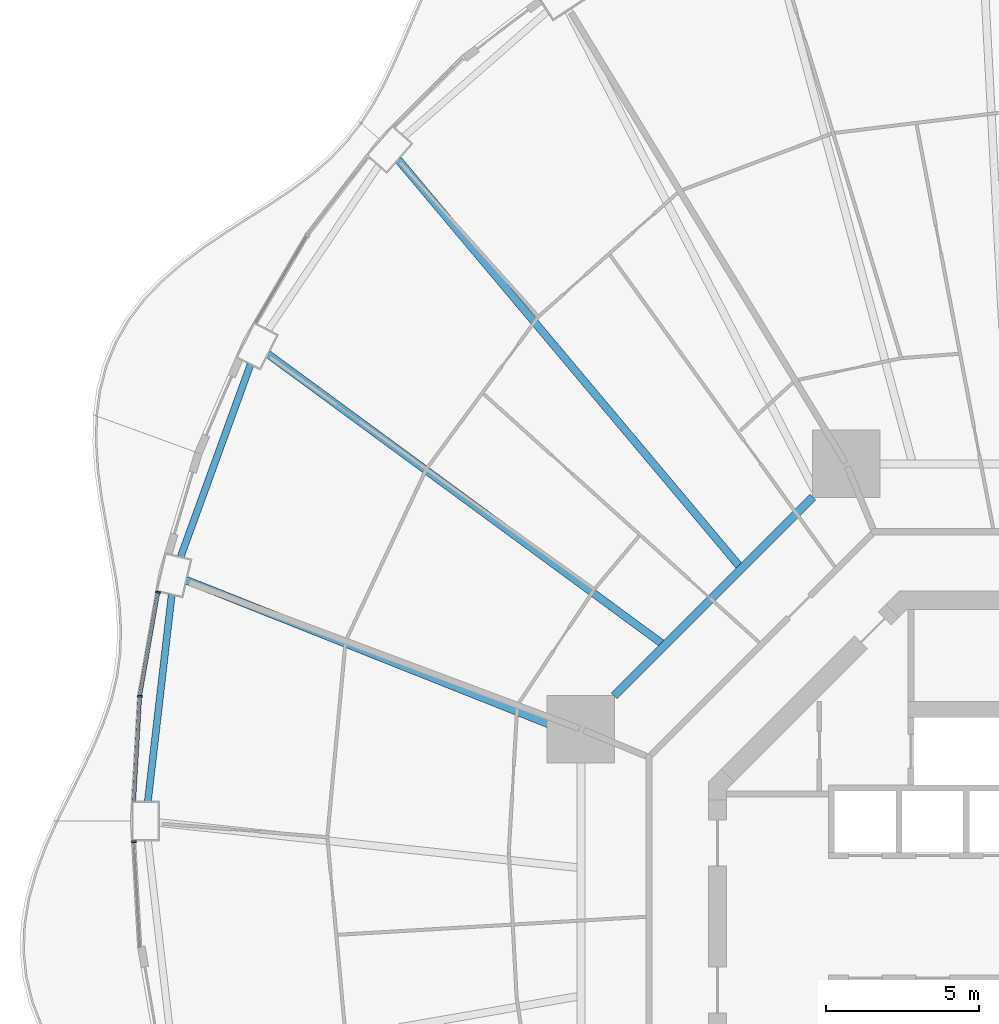
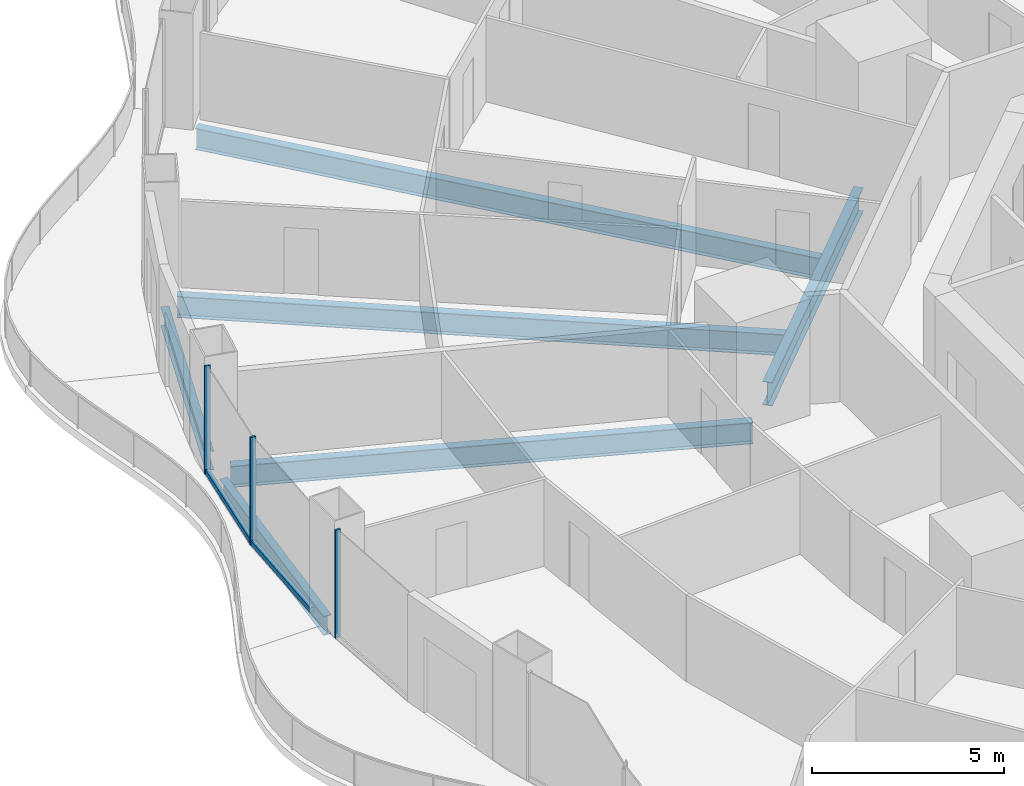
# One storey, part 7 of 22: 6 beams, 5 members, 3 elements without a shape of their own.
"""IFC4 building model written with IfcOpenShell, lengths in metres."""

from ifc_helpers import new_model, si_unit, direction, frame, origin, origin_2d, place, context, subcontext, project, spatial, rectangle, i_section, extrude, material, layer, layer_set, material_profile, profile_set, type_object, element, aggregate, save


model = new_model("IFC4")

# Units and contexts
model_context = context("Model", 3, precision=1e-05, world=origin(), true_north=direction((0.0, 1.0)))
body_context = subcontext(model_context, "Body", "Model", "MODEL_VIEW")
ifc_project = project(units=[si_unit("LENGTHUNIT", "METRE"), si_unit("AREAUNIT", "SQUARE_METRE"), si_unit("VOLUMEUNIT", "CUBIC_METRE"), si_unit("PLANEANGLEUNIT", "RADIAN"), si_unit("MASSUNIT", "GRAM", prefix="KILO")], contexts=[model_context])

# Site, building, storey
site_placement = place(None, origin())
site = spatial("IfcSite", under=ifc_project, at=site_placement, CompositionType="ELEMENT")
building_placement = place(site_placement, origin())
building = spatial("IfcBuilding", under=site, at=building_placement, Name="Nagisa Residences", CompositionType="ELEMENT")
storey_placement = place(building_placement, frame((0.0, 0.0, 95.5)))
storey = spatial("IfcBuildingStorey", under=building, at=storey_placement, Name="L23", CompositionType="ELEMENT", Elevation=95.5)

# Curtain wall, member
ifc_material_1 = material(Name="Concrete-coloured aluminium curtain wall system", Category="concrete")
ifc_layer = layer(ifc_material_1, 0.159912109375)
ifc_layer_set = layer_set([ifc_layer], Name="CW1 CURTAIN WALL")
curtain_wall_type = type_object("IfcCurtainWallType", Name="CW1 CURTAIN WALL", PredefinedType="NOTDEFINED", material=ifc_layer_set)
curtain_wall_1_placement = place(storey_placement, origin())
curtain_wall_1 = element("IfcCurtainWall", 1, at=curtain_wall_1_placement, inside=storey, type_object=curtain_wall_type, Name="cw:CW1:L23:22", PredefinedType="NOTDEFINED")
ifc_material_2 = material(Name="Concrete-coloured aluminium", Category="concrete")
ifc_material_profile_1 = material_profile(ifc_material_2, rectangle(XDim=0.159912109375, YDim=0.06005859375, at=origin_2d()), Name="CW1 MULLION 160x60")
ifc_profile_set_1 = profile_set([ifc_material_profile_1], Name="Concrete-coloured aluminium")
member_type_1 = type_object("IfcMemberType", Name="CW1 MULLION 160x60", PredefinedType="MULLION", material=ifc_profile_set_1)
member_1_placement = place(storey_placement, frame((-28.589599609375, 10.5908203125, 0.0), z_axis=(0.0, 0.0, 1.0), x_axis=(0.985063604377, -0.172190868898, 0.0)))
member_1 = element("IfcMember", 2, at=member_1_placement, type_object=member_type_1, Name="CW1 mullion", PredefinedType="MULLION", context=body_context, shape_type="SweptSolid", body=[
    extrude(rectangle(XDim=0.159912109375, YDim=0.06005859375, at=origin_2d()), origin(), (0.0, 0.0, 1.0), 3.43994140625),
])

curtain_wall_2_placement = place(storey_placement, origin())
curtain_wall_2 = element("IfcCurtainWall", 3, at=curtain_wall_2_placement, inside=storey, type_object=curtain_wall_type, Name="cw:CW1:L23:23", PredefinedType="NOTDEFINED")
member_2_placement = place(storey_placement, frame((-29.179931640625, 7.19677734375, 0.0), z_axis=(0.0, 0.0, 1.0), x_axis=(0.998345305184, -0.057503492216, 0.0)))
member_2 = element("IfcMember", 4, at=member_2_placement, type_object=member_type_1, Name="CW1 mullion", PredefinedType="MULLION", context=body_context, shape_type="SweptSolid", body=[
    extrude(rectangle(XDim=0.159912109375, YDim=0.06005859375, at=origin_2d()), origin(), (0.0, 0.0, 1.0), 3.43994140625),
])

curtain_wall_3_placement = place(storey_placement, origin())
curtain_wall_3 = element("IfcCurtainWall", 5, at=curtain_wall_3_placement, inside=storey, type_object=curtain_wall_type, Name="cw:CW1:L23:24", PredefinedType="NOTDEFINED")
member_3_placement = place(storey_placement, frame((-29.3759765625, 2.443359375, 0.0), z_axis=(0.0, 0.0, 1.0), x_axis=(0.998345305184, 0.057503492216, 0.0)))
member_3 = element("IfcMember", 6, at=member_3_placement, type_object=member_type_1, Name="CW1 mullion", PredefinedType="MULLION", context=body_context, shape_type="SweptSolid", body=[
    extrude(rectangle(XDim=0.159912109375, YDim=0.06005859375, at=origin_2d()), origin(), (0.0, 0.0, 1.0), 3.43994140625),
])
aggregate(curtain_wall_3, [member_3])

# Member
ifc_material_3 = material(Name="Concrete-coloured aluminium", Category="concrete")
ifc_material_profile_2 = material_profile(ifc_material_3, rectangle(XDim=0.1201171875, YDim=0.14990234375, at=origin_2d()), Name="CW1 TRANSOM 120x150")
ifc_profile_set_2 = profile_set([ifc_material_profile_2], Name="Concrete-coloured aluminium")
member_type_2 = type_object("IfcMemberType", Name="CW1 TRANSOM 120x150", PredefinedType="USERDEFINED", material=ifc_profile_set_2)
member_4_placement = place(storey_placement, frame((-28.58447265625, 10.620361328125, 0.074951171875), z_axis=(-0.172164316671, -0.985068245385, 0.0), x_axis=(0.985068245385, -0.172164316671, 0.0)))
member_4 = element("IfcMember", 7, at=member_4_placement, type_object=member_type_2, Name="CW1 transom", ObjectType="TRANSOM", PredefinedType="USERDEFINED", context=body_context, shape_type="SweptSolid", body=[
    extrude(rectangle(XDim=0.1201171875, YDim=0.14990234375, at=origin_2d()), origin(), (0.0, 0.0, 1.0), 3.454345703125),
])

aggregate(curtain_wall_1, [member_1, member_4])

member_5_placement = place(storey_placement, frame((-29.17822265625, 7.2265625, 0.074951171875), z_axis=(-0.057476526179, -0.99834685803, 0.0), x_axis=(0.99834685803, -0.057476526179, 0.0)))
member_5 = element("IfcMember", 8, at=member_5_placement, type_object=member_type_2, Name="CW1 transom", ObjectType="TRANSOM", PredefinedType="USERDEFINED", context=body_context, shape_type="SweptSolid", body=[
    extrude(rectangle(XDim=0.1201171875, YDim=0.14990234375, at=origin_2d()), origin(), (0.0, 0.0, 1.0), 3.47021484375),
])

aggregate(curtain_wall_2, [member_2, member_5])

# Beams
ifc_material_4 = material(Name="Steel ASTM A572 Gr 50", Category="steel")
ifc_material_profile_3 = material_profile(ifc_material_4, i_section(OverallWidth=0.264892578125, OverallDepth=0.7529296875, WebThickness=0.01318359375, FlangeThickness=0.01708984375, at=origin_2d()), Name="W760x147")
ifc_profile_set_3 = profile_set([ifc_material_profile_3], Name="Steel ASTM A572 Gr 50")
beam_type_1 = type_object("IfcBeamType", Name="Inner ring beam W760x147", PredefinedType="BEAM", material=ifc_profile_set_3)
beam_1_placement = place(storey_placement, frame((-7.208740234375, 13.6962890625, -0.636474609375), z_axis=(-0.707106781187, -0.707106781187, 0.0), x_axis=(0.707106781187, -0.707106781187, 0.0)))
element("IfcBeam", 9, at=beam_1_placement, inside=storey, type_object=beam_type_1, Name="beam:L23:ib3", PredefinedType="BEAM", context=body_context, shape_type="SweptSolid", body=[
    extrude(i_section(OverallWidth=0.264892578125, OverallDepth=0.7529296875, WebThickness=0.01318359375, FlangeThickness=0.01708984375, at=origin_2d()), origin(), (0.0, 0.0, 1.0), 9.1748046875),
])
ifc_material_5 = material(Name="Steel ASTM A572 Gr 50", Category="steel")
ifc_material_profile_4 = material_profile(ifc_material_5, i_section(OverallWidth=0.22802734375, OverallDepth=0.60302734375, WebThickness=0.010498046875, FlangeThickness=0.014892578125, at=origin_2d()), Name="W610x101")
ifc_profile_set_4 = profile_set([ifc_material_profile_4], Name="Steel ASTM A572 Gr 50")
beam_type_2 = type_object("IfcBeamType", Name="Perimeter ring beam W610x101", PredefinedType="BEAM", material=ifc_profile_set_4)
beam_2_placement = place(storey_placement, frame((-25.568359375, 18.028564453125, -0.5615234375), z_axis=(-0.341365002286, -0.939930814057, 0.0), x_axis=(0.939930814057, -0.341365002286, 0.0)))
element("IfcBeam", 10, at=beam_2_placement, inside=storey, type_object=beam_type_2, Name="beam:L23:pb11", PredefinedType="BEAM", context=body_context, shape_type="SweptSolid", body=[
    extrude(i_section(OverallWidth=0.22802734375, OverallDepth=0.60302734375, WebThickness=0.010498046875, FlangeThickness=0.014892578125, at=origin_2d()), origin(), (0.0, 0.0, 1.0), 6.689208984375),
])
beam_3_placement = place(storey_placement, frame((-28.14111328125, 10.5146484375, -0.5615234375), z_axis=(-0.114690766503, -0.993401242237, 0.0), x_axis=(0.993401242237, -0.114690766503, 0.0)))
element("IfcBeam", 11, at=beam_3_placement, inside=storey, type_object=beam_type_2, Name="beam:L23:pb12", PredefinedType="BEAM", context=body_context, shape_type="SweptSolid", body=[
    extrude(i_section(OverallWidth=0.22802734375, OverallDepth=0.60302734375, WebThickness=0.010498046875, FlangeThickness=0.014892578125, at=origin_2d()), origin(), (0.0, 0.0, 1.0), 6.811767578125),
])
ifc_material_6 = material(Name="Steel ASTM A572 Gr 50", Category="steel")
ifc_material_profile_5 = material_profile(ifc_material_6, i_section(OverallWidth=0.2529296875, OverallDepth=0.677978515625, WebThickness=0.01171875, FlangeThickness=0.016357421875, at=origin_2d()), Name="W690x125")
ifc_profile_set_5 = profile_set([ifc_material_profile_5], Name="Steel ASTM A572 Gr 50")
beam_type_3 = type_object("IfcBeamType", Name="Radial beam W690x125", PredefinedType="BEAM", material=ifc_profile_set_5)
beam_4_placement = place(storey_placement, frame((-20.75, 24.71533203125, -0.59912109375), z_axis=(0.642994706096, -0.765870620884, 0.0), x_axis=(0.765870620884, 0.642994706096, 0.0)))
element("IfcBeam", 12, at=beam_4_placement, inside=storey, type_object=beam_type_3, Name="beam:L23:rb10", PredefinedType="BEAM", context=body_context, shape_type="SweptSolid", body=[
    extrude(i_section(OverallWidth=0.2529296875, OverallDepth=0.677978515625, WebThickness=0.01171875, FlangeThickness=0.016357421875, at=origin_2d()), origin(), (0.0, 0.0, 1.0), 17.319580078125),
])
beam_5_placement = place(storey_placement, frame((-25.0, 18.366943359375, -0.59912109375), z_axis=(0.805892392895, -0.59206203313, 0.0), x_axis=(0.59206203313, 0.805892392895, 0.0)))
element("IfcBeam", 13, at=beam_5_placement, inside=storey, type_object=beam_type_3, Name="beam:L23:rb11", PredefinedType="BEAM", context=body_context, shape_type="SweptSolid", body=[
    extrude(i_section(OverallWidth=0.2529296875, OverallDepth=0.677978515625, WebThickness=0.01171875, FlangeThickness=0.016357421875, at=origin_2d()), origin(), (0.0, 0.0, 1.0), 15.95361328125),
])
beam_6_placement = place(storey_placement, frame((-27.6640625, 10.984375, -0.59912109375), z_axis=(0.929418643834, -0.369027078267, 0.0), x_axis=(0.369027078267, 0.929418643834, 0.0)))
element("IfcBeam", 14, at=beam_6_placement, inside=storey, type_object=beam_type_3, Name="beam:L23:rb12", PredefinedType="BEAM", context=body_context, shape_type="SweptSolid", body=[
    extrude(i_section(OverallWidth=0.2529296875, OverallDepth=0.677978515625, WebThickness=0.01171875, FlangeThickness=0.016357421875, at=origin_2d()), origin(), (0.0, 0.0, 1.0), 13.73779296875),
])

save(model, "model.ifc")
